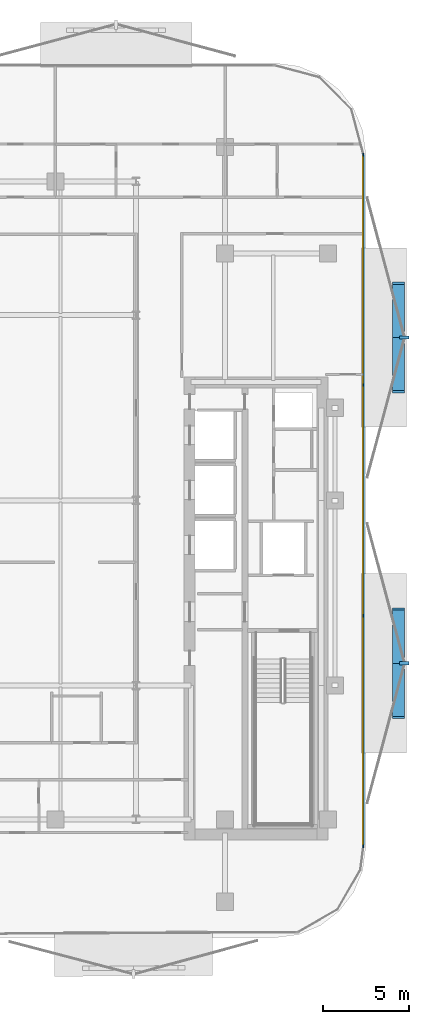
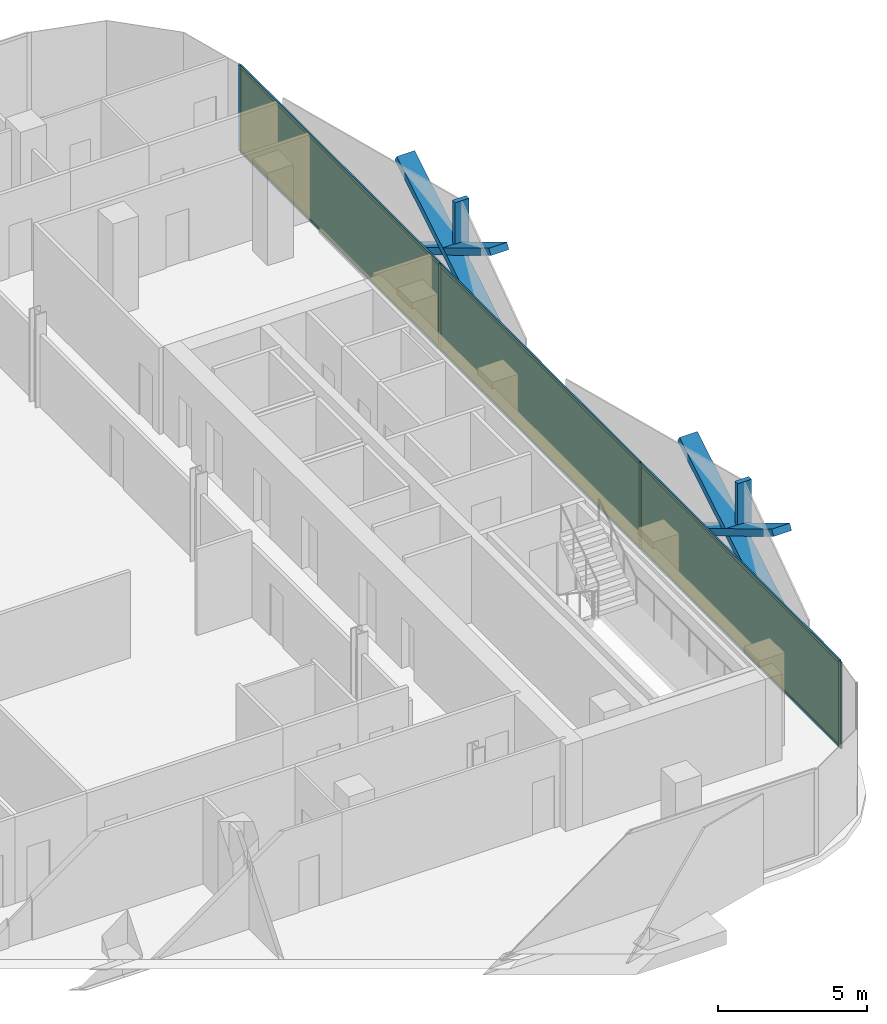
# One storey, part 11 of 17: 16 members, 3 plates, 1 curtain wall.
"""IFC4 building model written with IfcOpenShell, lengths in metres."""

from ifc_helpers import new_model, si_unit, direction, frame, frame_2d, origin, origin_2d, place, context, subcontext, project, spatial, rectangle, extrude, material, layer, layer_set, material_profile, profile_set, type_object, element, aggregate, save


model = new_model("IFC4")

# Units and contexts
model_context = context("Model", 3, precision=1e-05, world=origin(), true_north=direction((0.0, 1.0)))
body_context = subcontext(model_context, "Body", "Model", "MODEL_VIEW")
ifc_project = project(units=[si_unit("LENGTHUNIT", "METRE"), si_unit("AREAUNIT", "SQUARE_METRE"), si_unit("VOLUMEUNIT", "CUBIC_METRE"), si_unit("PLANEANGLEUNIT", "RADIAN"), si_unit("MASSUNIT", "GRAM", prefix="KILO")], contexts=[model_context])

# Member
ifc_material_1 = material(Name="Anodised Bronze Aluminium 6063-T6", Category="aluminium")
ifc_material_profile_1 = material_profile(ifc_material_1, rectangle(XDim=0.260009765625, YDim=0.699951171875, at=origin_2d()))
ifc_profile_set_1 = profile_set([ifc_material_profile_1], Name="Anodised Bronze Aluminium 6063-T6")
member_type_1 = type_object("IfcMemberType", Name="Bronze Diamond Solar-Screen Lattice Rib BDL-700", PredefinedType="MULLION", material=ifc_profile_set_1)
site_placement = place(None, origin())
building_placement = place(site_placement, origin())
storey_placement = place(building_placement, frame((0.0, 0.0, 165.0)))
member_1_placement = place(storey_placement, frame((24.5, 12.660400390625, -0.1298828125), z_axis=(0.0, -0.857387868219, 0.514670810743), x_axis=(0.0, -0.514670810743, -0.857387868219)))
member_1 = element("IfcMember", 1, at=member_1_placement, type_object=member_type_1, Name="L37 Bronze Diamond Solar Screen Lattice Rib 239A", PredefinedType="MULLION", context=body_context, shape_type="SweptSolid", body=[
    extrude(rectangle(XDim=0.260009765625, YDim=0.699951171875, at=origin_2d()), origin(), (0.0, 0.0, 1.0), 7.383056640625),
])

member_2_placement = place(storey_placement, frame((24.5, 6.330322265625, -0.1298828125), z_axis=(0.0, 0.857387868219, 0.514670810743), x_axis=(0.0, 0.514670810743, -0.857387868219)))
member_2 = element("IfcMember", 2, at=member_2_placement, type_object=member_type_1, Name="L37 Bronze Diamond Solar Screen Lattice Rib 239B", PredefinedType="MULLION", context=body_context, shape_type="SweptSolid", body=[
    extrude(rectangle(XDim=0.260009765625, YDim=0.699951171875, at=origin_2d()), origin(), (0.0, 0.0, 1.0), 7.383056640625),
])

member_3_placement = place(storey_placement, frame((24.5, -6.330322265625, -0.1298828125), z_axis=(0.0, -0.857387868219, 0.514670810743), x_axis=(0.0, -0.514670810743, -0.857387868219)))
member_3 = element("IfcMember", 3, at=member_3_placement, type_object=member_type_1, Name="L37 Bronze Diamond Solar Screen Lattice Rib 240A", PredefinedType="MULLION", context=body_context, shape_type="SweptSolid", body=[
    extrude(rectangle(XDim=0.260009765625, YDim=0.699951171875, at=origin_2d()), origin(), (0.0, 0.0, 1.0), 7.383056640625),
])

member_4_placement = place(storey_placement, frame((24.5, -12.660400390625, -0.1298828125), z_axis=(0.0, 0.857387868219, 0.514670810743), x_axis=(0.0, 0.514670810743, -0.857387868219)))
member_4 = element("IfcMember", 4, at=member_4_placement, type_object=member_type_1, Name="L37 Bronze Diamond Solar Screen Lattice Rib 240B", PredefinedType="MULLION", context=body_context, shape_type="SweptSolid", body=[
    extrude(rectangle(XDim=0.260009765625, YDim=0.699951171875, at=origin_2d()), origin(), (0.0, 0.0, 1.0), 7.383056640625),
])

ifc_material_2 = material(Name="Anodised Bronze Aluminium 6063-T6", Category="aluminium")
ifc_material_profile_2 = material_profile(ifc_material_2, rectangle(XDim=0.179931640625, YDim=0.5400390625, at=origin_2d()))
ifc_profile_set_2 = profile_set([ifc_material_profile_2], Name="Anodised Bronze Aluminium 6063-T6")
member_type_2 = type_object("IfcMemberType", Name="Bronze Solar-Screen Vertical Fold Fin BSF-540", PredefinedType="MULLION", material=ifc_profile_set_2)
member_5_placement = place(storey_placement, frame((24.840087890625, 9.495361328125, -0.1298828125), z_axis=(0.0, 0.0, 1.0), x_axis=(0.0, -1.0, 0.0)))
member_5 = element("IfcMember", 5, at=member_5_placement, type_object=member_type_2, Name="L37 Bronze Solar Screen Vertical Fin 239", PredefinedType="MULLION", context=body_context, shape_type="SweptSolid", body=[
    extrude(rectangle(XDim=0.179931640625, YDim=0.5400390625, at=origin_2d()), origin(), (0.0, 0.0, 1.0), 3.7998046875),
])

member_6_placement = place(storey_placement, frame((24.840087890625, -9.495361328125, -0.1298828125), z_axis=(0.0, 0.0, 1.0), x_axis=(0.0, -1.0, 0.0)))
member_6 = element("IfcMember", 6, at=member_6_placement, type_object=member_type_2, Name="L37 Bronze Solar Screen Vertical Fin 240", PredefinedType="MULLION", context=body_context, shape_type="SweptSolid", body=[
    extrude(rectangle(XDim=0.179931640625, YDim=0.5400390625, at=origin_2d()), origin(), (0.0, 0.0, 1.0), 3.7998046875),
])

ifc_material_3 = material(Name="Anodised Bronze Aluminium 6063-T6", Category="aluminium")
ifc_material_profile_3 = material_profile(ifc_material_3, rectangle(XDim=0.06005859375, YDim=0.1650390625, at=origin_2d()))
ifc_profile_set_3 = profile_set([ifc_material_profile_3], Name="Anodised Bronze Aluminium 6063-T6")
member_type_3 = type_object("IfcMemberType", Name="CW-Z3 Mullion 60x165", PredefinedType="MULLION", material=ifc_profile_set_3)
member_7_placement = place(storey_placement, frame((22.4599609375, 20.160888671875, 0.0), z_axis=(0.0, 0.0, 1.0), x_axis=(1.0, 0.0, 0.0)))
member_7 = element("IfcMember", 7, at=member_7_placement, type_object=member_type_3, Name="CW-Z3 mullion 1", PredefinedType="MULLION", context=body_context, shape_type="SweptSolid", body=[
    extrude(rectangle(XDim=0.06005859375, YDim=0.1650390625, at=origin_2d()), origin(), (0.0, 0.0, 1.0), 3.5400390625),
])

member_8_placement = place(storey_placement, frame((22.4599609375, 6.730224609375, 0.0), z_axis=(0.0, 0.0, 1.0), x_axis=(1.0, 0.0, 0.0)))
member_8 = element("IfcMember", 8, at=member_8_placement, type_object=member_type_3, Name="CW-Z3 mullion 2", PredefinedType="MULLION", context=body_context, shape_type="SweptSolid", body=[
    extrude(rectangle(XDim=0.06005859375, YDim=0.1650390625, at=origin_2d()), origin(), (0.0, 0.0, 1.0), 3.5400390625),
])

member_9_placement = place(storey_placement, frame((22.4599609375, -6.730224609375, 0.0), z_axis=(0.0, 0.0, 1.0), x_axis=(1.0, 0.0, 0.0)))
member_9 = element("IfcMember", 9, at=member_9_placement, type_object=member_type_3, Name="CW-Z3 mullion 3", PredefinedType="MULLION", context=body_context, shape_type="SweptSolid", body=[
    extrude(rectangle(XDim=0.06005859375, YDim=0.1650390625, at=origin_2d()), origin(), (0.0, 0.0, 1.0), 3.5400390625),
])

member_10_placement = place(storey_placement, frame((22.4599609375, -20.160888671875, 0.0), z_axis=(0.0, 0.0, 1.0), x_axis=(1.0, 0.0, 0.0)))
member_10 = element("IfcMember", 10, at=member_10_placement, type_object=member_type_3, Name="CW-Z3 mullion 4", PredefinedType="MULLION", context=body_context, shape_type="SweptSolid", body=[
    extrude(rectangle(XDim=0.06005859375, YDim=0.1650390625, at=origin_2d()), origin(), (0.0, 0.0, 1.0), 3.5400390625),
])

ifc_material_4 = material(Name="Anodised Bronze Aluminium 6063-T6", Category="aluminium")
ifc_material_profile_4 = material_profile(ifc_material_4, rectangle(XDim=0.06005859375, YDim=0.1298828125, at=origin_2d()))
ifc_profile_set_4 = profile_set([ifc_material_profile_4], Name="Anodised Bronze Aluminium 6063-T6")
member_type_4 = type_object("IfcMemberType", Name="CW-Z3 Transom 60x130", PredefinedType="USERDEFINED", material=ifc_profile_set_4)
member_11_placement = place(storey_placement, frame((22.4599609375, 20.130859375, 0.030029296875), z_axis=(0.0, -1.0, 0.0), x_axis=(1.0, 0.0, 0.0)))
member_11 = element("IfcMember", 11, at=member_11_placement, type_object=member_type_4, Name="CW-Z3 transom 1.1", ObjectType="TRANSOM", PredefinedType="USERDEFINED", context=body_context, shape_type="SweptSolid", body=[
    extrude(rectangle(XDim=0.06005859375, YDim=0.1298828125, at=origin_2d()), origin(), (0.0, 0.0, 1.0), 13.37060546875),
])

member_12_placement = place(storey_placement, frame((22.4599609375, 20.130859375, 3.510009765625), z_axis=(0.0, -1.0, 0.0), x_axis=(1.0, 0.0, 0.0)))
member_12 = element("IfcMember", 12, at=member_12_placement, type_object=member_type_4, Name="CW-Z3 transom 1.2", ObjectType="TRANSOM", PredefinedType="USERDEFINED", context=body_context, shape_type="SweptSolid", body=[
    extrude(rectangle(XDim=0.06005859375, YDim=0.1298828125, at=origin_2d()), origin(), (0.0, 0.0, 1.0), 13.37060546875),
])

member_13_placement = place(storey_placement, frame((22.4599609375, 6.7001953125, 0.030029296875), z_axis=(0.0, -1.0, 0.0), x_axis=(1.0, 0.0, 0.0)))
member_13 = element("IfcMember", 13, at=member_13_placement, type_object=member_type_4, Name="CW-Z3 transom 2.1", ObjectType="TRANSOM", PredefinedType="USERDEFINED", context=body_context, shape_type="SweptSolid", body=[
    extrude(rectangle(XDim=0.06005859375, YDim=0.1298828125, at=origin_2d()), origin(), (0.0, 0.0, 1.0), 13.400390625),
])

member_14_placement = place(storey_placement, frame((22.4599609375, 6.7001953125, 3.510009765625), z_axis=(0.0, -1.0, 0.0), x_axis=(1.0, 0.0, 0.0)))
member_14 = element("IfcMember", 14, at=member_14_placement, type_object=member_type_4, Name="CW-Z3 transom 2.2", ObjectType="TRANSOM", PredefinedType="USERDEFINED", context=body_context, shape_type="SweptSolid", body=[
    extrude(rectangle(XDim=0.06005859375, YDim=0.1298828125, at=origin_2d()), origin(), (0.0, 0.0, 1.0), 13.400390625),
])

member_15_placement = place(storey_placement, frame((22.4599609375, -6.76025390625, 0.030029296875), z_axis=(0.0, -1.0, 0.0), x_axis=(1.0, 0.0, 0.0)))
member_15 = element("IfcMember", 15, at=member_15_placement, type_object=member_type_4, Name="CW-Z3 transom 3.1", ObjectType="TRANSOM", PredefinedType="USERDEFINED", context=body_context, shape_type="SweptSolid", body=[
    extrude(rectangle(XDim=0.06005859375, YDim=0.1298828125, at=origin_2d()), origin(), (0.0, 0.0, 1.0), 13.37060546875),
])

member_16_placement = place(storey_placement, frame((22.4599609375, -6.76025390625, 3.510009765625), z_axis=(0.0, -1.0, 0.0), x_axis=(1.0, 0.0, 0.0)))
member_16 = element("IfcMember", 16, at=member_16_placement, type_object=member_type_4, Name="CW-Z3 transom 3.2", ObjectType="TRANSOM", PredefinedType="USERDEFINED", context=body_context, shape_type="SweptSolid", body=[
    extrude(rectangle(XDim=0.06005859375, YDim=0.1298828125, at=origin_2d()), origin(), (0.0, 0.0, 1.0), 13.37060546875),
])

# Plate
ifc_material_5 = material(Name="Low-E Solar Control Laminated Glass", Category="glass")
ifc_layer_1 = layer(ifc_material_5, 0.030029296875, Name="Low-E Solar Control Laminated Glass")
ifc_layer_set_1 = layer_set([ifc_layer_1], Name="Low-E Solar Control Laminated Glass")
plate_type = type_object("IfcPlateType", Name="CW-Z3 Low-E Double Glazed Panel 30mm", PredefinedType="CURTAIN_PANEL", material=ifc_layer_set_1)
plate_1_placement = place(storey_placement, frame((22.4599609375, 13.445556640625, 0.06005859375), z_axis=(0.0, 0.0, 1.0), x_axis=(0.0, -1.0, 0.0)))
plate_1 = element("IfcPlate", 17, at=plate_1_placement, type_object=plate_type, Name="CW-Z3 panel 1.1", PredefinedType="CURTAIN_PANEL", context=body_context, shape_type="SweptSolid", body=[
    extrude(rectangle(XDim=13.37060546875, YDim=0.030029296875, at=origin_2d()), origin(), (0.0, 0.0, 1.0), 3.419921875),
])

plate_2_placement = place(storey_placement, frame((22.4599609375, 0.0, 0.06005859375), z_axis=(0.0, 0.0, 1.0), x_axis=(0.0, -1.0, 0.0)))
plate_2 = element("IfcPlate", 18, at=plate_2_placement, type_object=plate_type, Name="CW-Z3 panel 2.1", PredefinedType="CURTAIN_PANEL", context=body_context, shape_type="SweptSolid", body=[
    extrude(rectangle(XDim=13.400634765625, YDim=0.030029296875, at=origin_2d()), origin(), (0.0, 0.0, 1.0), 3.419921875),
])

plate_3_placement = place(storey_placement, frame((22.4599609375, -13.445556640625, 0.06005859375), z_axis=(0.0, 0.0, 1.0), x_axis=(0.0, -1.0, 0.0)))
plate_3 = element("IfcPlate", 19, at=plate_3_placement, type_object=plate_type, Name="CW-Z3 panel 3.1", PredefinedType="CURTAIN_PANEL", context=body_context, shape_type="SweptSolid", body=[
    extrude(rectangle(XDim=13.37060546875, YDim=0.030029296875, at=origin_2d()), origin(), (0.0, 0.0, 1.0), 3.419921875),
])

# Site, building, storey
site = spatial("IfcSite", under=ifc_project, at=site_placement, CompositionType="ELEMENT")
building = spatial("IfcBuilding", under=site, at=building_placement, Name="Khairoan Windgate Tower", CompositionType="ELEMENT")
storey = spatial("IfcBuildingStorey", under=building, at=storey_placement, Name="L37", CompositionType="ELEMENT", Elevation=165.0)

# Curtain wall
ifc_material_6 = material(Name="Anodised Bronze Aluminium 6063-T6", Category="aluminium")
ifc_layer_2 = layer(ifc_material_6, 0.1650390625, Name="Anodised Bronze Aluminium 6063-T6")
ifc_layer_set_2 = layer_set([ifc_layer_2], Name="Anodised Bronze Aluminium 6063-T6")
curtain_wall_type = type_object("IfcCurtainWallType", Name="Luxury Hotel Acoustic Curtain Wall CW-Z3", PredefinedType="NOTDEFINED", material=ifc_layer_set_2)
curtain_wall_placement = place(storey_placement, frame((22.4599609375, 20.19091796875, 0.0), z_axis=(0.0, 0.0, 1.0), x_axis=(0.0, -1.0, 0.0)))
curtain_wall = element("IfcCurtainWall", 20, at=curtain_wall_placement, inside=storey, type_object=curtain_wall_type, Name="L37 Unitised Curtain Wall 13", PredefinedType="NOTDEFINED", context=body_context, shape_type="SweptSolid", body=[
    extrude(rectangle(XDim=40.3818359375, YDim=0.010009765625, at=frame_2d((20.19091796875, 0.0))), origin(), (0.0, 0.0, 1.0), 3.5400390625),
])

aggregate(curtain_wall, [member_7, member_8, member_9, member_10, member_11, member_12, plate_1, member_13, member_14, plate_2, member_15, member_16, plate_3, member_1, member_2, member_5, member_3, member_4, member_6])

save(model, "model.ifc")
